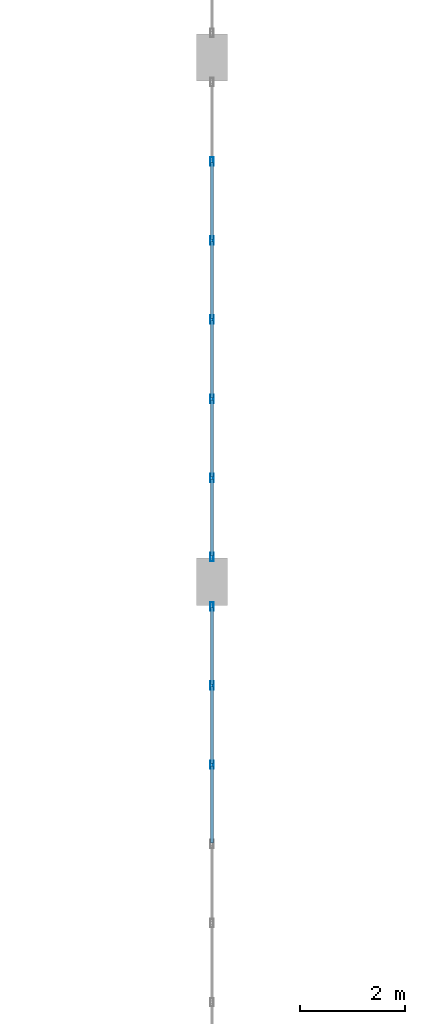
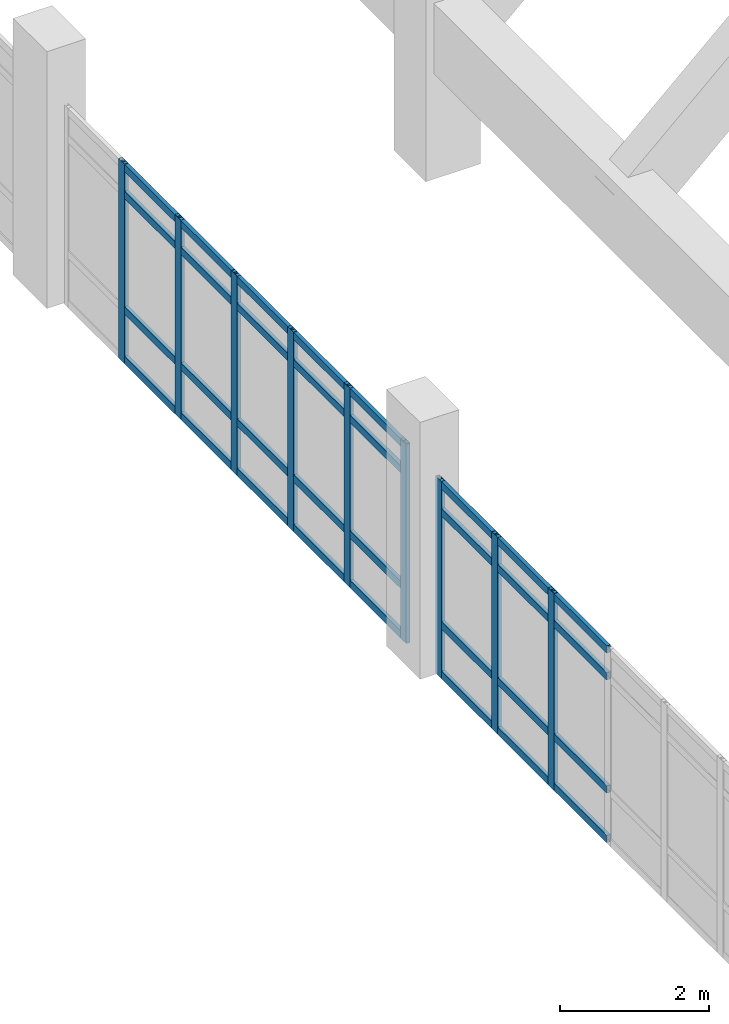
# One storey, part 20 of 111: 41 members, 2 elements without a shape of their own.
"""IFC4 building model written with IfcOpenShell, lengths in metres."""

from ifc_helpers import new_model, si_unit, direction, frame, origin, origin_2d, place, context, subcontext, project, spatial, hollow_rectangle, extrude, material, layer, layer_set, material_profile, profile_set, type_object, element, aggregate, save


model = new_model("IFC4")

# Units and contexts
model_context = context("Model", 3, precision=1e-05, world=origin(), true_north=direction((0.0, 1.0)))
body_context = subcontext(model_context, "Body", "Model", "MODEL_VIEW")
ifc_project = project(units=[si_unit("LENGTHUNIT", "METRE"), si_unit("AREAUNIT", "SQUARE_METRE"), si_unit("VOLUMEUNIT", "CUBIC_METRE"), si_unit("PLANEANGLEUNIT", "RADIAN"), si_unit("MASSUNIT", "GRAM", prefix="KILO")], contexts=[model_context])

# Site, building, storey
site_placement = place(None, origin())
site = spatial("IfcSite", under=ifc_project, at=site_placement, CompositionType="ELEMENT")
building_placement = place(site_placement, origin())
building = spatial("IfcBuilding", under=site, at=building_placement, Name="Mersad Railyard Sports Hall", CompositionType="ELEMENT")
storey_placement = place(building_placement, frame((0.0, 0.0, 9.0)))
storey = spatial("IfcBuildingStorey", under=building, at=storey_placement, Name="L02", CompositionType="ELEMENT", Elevation=9.0)

# Curtain wall, members
ifc_material = material(Name="Aluminium 6063-T6", Category="aluminium")
ifc_layer_1 = layer(ifc_material, 0.159912109375)
ifc_layer_set_1 = layer_set([ifc_layer_1], Name="Aluminium 6063-T6")
curtain_wall_type_1 = type_object("IfcCurtainWallType", Name="ARC-CW-CW15", PredefinedType="USERDEFINED", material=ifc_layer_set_1)
curtain_wall_1_placement = place(storey_placement, origin())
curtain_wall_1 = element("IfcCurtainWall", 1, at=curtain_wall_1_placement, inside=storey, type_object=curtain_wall_type_1, Name="Curtain wall CW15-0073", ObjectType="CURTAIN WALL", PredefinedType="USERDEFINED")
ifc_material_profile_1 = material_profile(ifc_material, hollow_rectangle(XDim=0.06005859375, YDim=0.159912109375, WallThickness=0.00390625, at=origin_2d()), Name="AL MULLION 60x160x4")
ifc_profile_set_1 = profile_set([ifc_material_profile_1], Name="Aluminium 6063-T6")
member_type_1 = type_object("IfcMemberType", Name="ARC-CW-MUL01", PredefinedType="MULLION", material=ifc_profile_set_1)
member_1_placement = place(storey_placement, frame((131.0, 50.010009765625, -0.02001953125), z_axis=(0.0, 0.0, 1.0), x_axis=(1.0, 0.0, 0.0)))
member_1 = element("IfcMember", 2, at=member_1_placement, type_object=member_type_1, Name="CW15 Mullion 5", PredefinedType="MULLION", context=body_context, shape_type="SweptSolid", body=[
    extrude(hollow_rectangle(XDim=0.06005859375, YDim=0.159912109375, WallThickness=0.00390625, at=origin_2d()), origin(), (0.0, 0.0, 1.0), 3.219970703125),
])
member_2_placement = place(storey_placement, frame((131.0, 51.52001953125, -0.02001953125), z_axis=(0.0, 0.0, 1.0), x_axis=(1.0, 0.0, 0.0)))
member_2 = element("IfcMember", 3, at=member_2_placement, type_object=member_type_1, Name="CW15 Mullion 6", PredefinedType="MULLION", context=body_context, shape_type="SweptSolid", body=[
    extrude(hollow_rectangle(XDim=0.06005859375, YDim=0.159912109375, WallThickness=0.00390625, at=origin_2d()), origin(), (0.0, 0.0, 1.0), 3.219970703125),
])
member_3_placement = place(storey_placement, frame((131.0, 53.030029296875, -0.02001953125), z_axis=(0.0, 0.0, 1.0), x_axis=(1.0, 0.0, 0.0)))
member_3 = element("IfcMember", 4, at=member_3_placement, type_object=member_type_1, Name="CW15 Mullion 7", PredefinedType="MULLION", context=body_context, shape_type="SweptSolid", body=[
    extrude(hollow_rectangle(XDim=0.06005859375, YDim=0.159912109375, WallThickness=0.00390625, at=origin_2d()), origin(), (0.0, 0.0, 1.0), 3.219970703125),
])

ifc_layer_2 = layer(ifc_material, 0.159912109375)
ifc_layer_set_2 = layer_set([ifc_layer_2], Name="Aluminium 6063-T6")
curtain_wall_type_2 = type_object("IfcCurtainWallType", Name="ARC-CW-CW16", PredefinedType="USERDEFINED", material=ifc_layer_set_2)
curtain_wall_2_placement = place(storey_placement, origin())
curtain_wall_2 = element("IfcCurtainWall", 5, at=curtain_wall_2_placement, inside=storey, type_object=curtain_wall_type_2, Name="Curtain wall CW16-0075", ObjectType="CURTAIN WALL", PredefinedType="USERDEFINED")
member_4_placement = place(storey_placement, frame((131.0, 53.969970703125, -0.02001953125), z_axis=(0.0, 0.0, 1.0), x_axis=(1.0, 0.0, 0.0)))
member_4 = element("IfcMember", 6, at=member_4_placement, type_object=member_type_1, Name="CW16 Mullion 1", PredefinedType="MULLION", context=body_context, shape_type="SweptSolid", body=[
    extrude(hollow_rectangle(XDim=0.06005859375, YDim=0.159912109375, WallThickness=0.00390625, at=origin_2d()), origin(), (0.0, 0.0, 1.0), 3.260009765625),
])
member_5_placement = place(storey_placement, frame((131.0, 55.47998046875, -0.02001953125), z_axis=(0.0, 0.0, 1.0), x_axis=(1.0, 0.0, 0.0)))
member_5 = element("IfcMember", 7, at=member_5_placement, type_object=member_type_1, Name="CW16 Mullion 2", PredefinedType="MULLION", context=body_context, shape_type="SweptSolid", body=[
    extrude(hollow_rectangle(XDim=0.06005859375, YDim=0.159912109375, WallThickness=0.00390625, at=origin_2d()), origin(), (0.0, 0.0, 1.0), 3.260009765625),
])
member_6_placement = place(storey_placement, frame((131.0, 56.989990234375, -0.02001953125), z_axis=(0.0, 0.0, 1.0), x_axis=(1.0, 0.0, 0.0)))
member_6 = element("IfcMember", 8, at=member_6_placement, type_object=member_type_1, Name="CW16 Mullion 3", PredefinedType="MULLION", context=body_context, shape_type="SweptSolid", body=[
    extrude(hollow_rectangle(XDim=0.06005859375, YDim=0.159912109375, WallThickness=0.00390625, at=origin_2d()), origin(), (0.0, 0.0, 1.0), 3.260009765625),
])
member_7_placement = place(storey_placement, frame((131.0, 58.5, -0.02001953125), z_axis=(0.0, 0.0, 1.0), x_axis=(1.0, 0.0, 0.0)))
member_7 = element("IfcMember", 9, at=member_7_placement, type_object=member_type_1, Name="CW16 Mullion 4", PredefinedType="MULLION", context=body_context, shape_type="SweptSolid", body=[
    extrude(hollow_rectangle(XDim=0.06005859375, YDim=0.159912109375, WallThickness=0.00390625, at=origin_2d()), origin(), (0.0, 0.0, 1.0), 3.260009765625),
])
member_8_placement = place(storey_placement, frame((131.0, 60.010009765625, -0.02001953125), z_axis=(0.0, 0.0, 1.0), x_axis=(1.0, 0.0, 0.0)))
member_8 = element("IfcMember", 10, at=member_8_placement, type_object=member_type_1, Name="CW16 Mullion 5", PredefinedType="MULLION", context=body_context, shape_type="SweptSolid", body=[
    extrude(hollow_rectangle(XDim=0.06005859375, YDim=0.159912109375, WallThickness=0.00390625, at=origin_2d()), origin(), (0.0, 0.0, 1.0), 3.260009765625),
])
member_9_placement = place(storey_placement, frame((131.0, 61.52001953125, -0.02001953125), z_axis=(0.0, 0.0, 1.0), x_axis=(1.0, 0.0, 0.0)))
member_9 = element("IfcMember", 11, at=member_9_placement, type_object=member_type_1, Name="CW16 Mullion 6", PredefinedType="MULLION", context=body_context, shape_type="SweptSolid", body=[
    extrude(hollow_rectangle(XDim=0.06005859375, YDim=0.159912109375, WallThickness=0.00390625, at=origin_2d()), origin(), (0.0, 0.0, 1.0), 3.260009765625),
])

# Member
ifc_material_profile_2 = material_profile(ifc_material, hollow_rectangle(XDim=0.06005859375, YDim=0.1201171875, WallThickness=0.00390625, at=origin_2d()), Name="AL TRANSOM 60x120x4")
ifc_profile_set_2 = profile_set([ifc_material_profile_2], Name="Aluminium 6063-T6")
member_type_2 = type_object("IfcMemberType", Name="ARC-CW-TRN01", PredefinedType="USERDEFINED", material=ifc_profile_set_2)
member_10_placement = place(storey_placement, frame((131.0, 48.52001953125, 0.0400390625), z_axis=(0.0, 1.0, 0.0), x_axis=(-1.0, 0.0, 0.0)))
member_10 = element("IfcMember", 12, at=member_10_placement, type_object=member_type_2, Name="CW15 Transom 1-4", ObjectType="TRANSOM", PredefinedType="USERDEFINED", context=body_context, shape_type="SweptSolid", body=[
    extrude(hollow_rectangle(XDim=0.06005859375, YDim=0.1201171875, WallThickness=0.00390625, at=origin_2d()), origin(), (0.0, 0.0, 1.0), 1.469970703125),
])

member_11_placement = place(storey_placement, frame((131.0, 50.030029296875, 0.0400390625), z_axis=(0.0, 1.0, 0.0), x_axis=(-1.0, 0.0, 0.0)))
member_11 = element("IfcMember", 13, at=member_11_placement, type_object=member_type_2, Name="CW15 Transom 1-5", ObjectType="TRANSOM", PredefinedType="USERDEFINED", context=body_context, shape_type="SweptSolid", body=[
    extrude(hollow_rectangle(XDim=0.06005859375, YDim=0.1201171875, WallThickness=0.00390625, at=origin_2d()), origin(), (0.0, 0.0, 1.0), 1.469970703125),
])

member_12_placement = place(storey_placement, frame((131.0, 51.5400390625, 0.0400390625), z_axis=(0.0, 1.0, 0.0), x_axis=(-1.0, 0.0, 0.0)))
member_12 = element("IfcMember", 14, at=member_12_placement, type_object=member_type_2, Name="CW15 Transom 1-6", ObjectType="TRANSOM", PredefinedType="USERDEFINED", context=body_context, shape_type="SweptSolid", body=[
    extrude(hollow_rectangle(XDim=0.06005859375, YDim=0.1201171875, WallThickness=0.00390625, at=origin_2d()), origin(), (0.0, 0.0, 1.0), 1.469970703125),
])

member_13_placement = place(storey_placement, frame((131.0, 48.52001953125, 0.85009765625), z_axis=(0.0, 1.0, 0.0), x_axis=(-1.0, 0.0, 0.0)))
member_13 = element("IfcMember", 15, at=member_13_placement, type_object=member_type_2, Name="CW15 Transom 2-4", ObjectType="TRANSOM", PredefinedType="USERDEFINED", context=body_context, shape_type="SweptSolid", body=[
    extrude(hollow_rectangle(XDim=0.06005859375, YDim=0.1201171875, WallThickness=0.00390625, at=origin_2d()), origin(), (0.0, 0.0, 1.0), 1.469970703125),
])

member_14_placement = place(storey_placement, frame((131.0, 50.030029296875, 0.85009765625), z_axis=(0.0, 1.0, 0.0), x_axis=(-1.0, 0.0, 0.0)))
member_14 = element("IfcMember", 16, at=member_14_placement, type_object=member_type_2, Name="CW15 Transom 2-5", ObjectType="TRANSOM", PredefinedType="USERDEFINED", context=body_context, shape_type="SweptSolid", body=[
    extrude(hollow_rectangle(XDim=0.06005859375, YDim=0.1201171875, WallThickness=0.00390625, at=origin_2d()), origin(), (0.0, 0.0, 1.0), 1.469970703125),
])

member_15_placement = place(storey_placement, frame((131.0, 51.5400390625, 0.85009765625), z_axis=(0.0, 1.0, 0.0), x_axis=(-1.0, 0.0, 0.0)))
member_15 = element("IfcMember", 17, at=member_15_placement, type_object=member_type_2, Name="CW15 Transom 2-6", ObjectType="TRANSOM", PredefinedType="USERDEFINED", context=body_context, shape_type="SweptSolid", body=[
    extrude(hollow_rectangle(XDim=0.06005859375, YDim=0.1201171875, WallThickness=0.00390625, at=origin_2d()), origin(), (0.0, 0.0, 1.0), 1.469970703125),
])

member_16_placement = place(storey_placement, frame((131.0, 48.52001953125, 2.699951171875), z_axis=(0.0, 1.0, 0.0), x_axis=(-1.0, 0.0, 0.0)))
member_16 = element("IfcMember", 18, at=member_16_placement, type_object=member_type_2, Name="CW15 Transom 3-4", ObjectType="TRANSOM", PredefinedType="USERDEFINED", context=body_context, shape_type="SweptSolid", body=[
    extrude(hollow_rectangle(XDim=0.06005859375, YDim=0.1201171875, WallThickness=0.00390625, at=origin_2d()), origin(), (0.0, 0.0, 1.0), 1.469970703125),
])

member_17_placement = place(storey_placement, frame((131.0, 50.030029296875, 2.699951171875), z_axis=(0.0, 1.0, 0.0), x_axis=(-1.0, 0.0, 0.0)))
member_17 = element("IfcMember", 19, at=member_17_placement, type_object=member_type_2, Name="CW15 Transom 3-5", ObjectType="TRANSOM", PredefinedType="USERDEFINED", context=body_context, shape_type="SweptSolid", body=[
    extrude(hollow_rectangle(XDim=0.06005859375, YDim=0.1201171875, WallThickness=0.00390625, at=origin_2d()), origin(), (0.0, 0.0, 1.0), 1.469970703125),
])

member_18_placement = place(storey_placement, frame((131.0, 51.5400390625, 2.699951171875), z_axis=(0.0, 1.0, 0.0), x_axis=(-1.0, 0.0, 0.0)))
member_18 = element("IfcMember", 20, at=member_18_placement, type_object=member_type_2, Name="CW15 Transom 3-6", ObjectType="TRANSOM", PredefinedType="USERDEFINED", context=body_context, shape_type="SweptSolid", body=[
    extrude(hollow_rectangle(XDim=0.06005859375, YDim=0.1201171875, WallThickness=0.00390625, at=origin_2d()), origin(), (0.0, 0.0, 1.0), 1.469970703125),
])

member_19_placement = place(storey_placement, frame((131.0, 48.52001953125, 3.139892578125), z_axis=(0.0, 1.0, 0.0), x_axis=(-1.0, 0.0, 0.0)))
member_19 = element("IfcMember", 21, at=member_19_placement, type_object=member_type_2, Name="CW15 Transom 4-4", ObjectType="TRANSOM", PredefinedType="USERDEFINED", context=body_context, shape_type="SweptSolid", body=[
    extrude(hollow_rectangle(XDim=0.06005859375, YDim=0.1201171875, WallThickness=0.00390625, at=origin_2d()), origin(), (0.0, 0.0, 1.0), 1.469970703125),
])

member_20_placement = place(storey_placement, frame((131.0, 50.030029296875, 3.139892578125), z_axis=(0.0, 1.0, 0.0), x_axis=(-1.0, 0.0, 0.0)))
member_20 = element("IfcMember", 22, at=member_20_placement, type_object=member_type_2, Name="CW15 Transom 4-5", ObjectType="TRANSOM", PredefinedType="USERDEFINED", context=body_context, shape_type="SweptSolid", body=[
    extrude(hollow_rectangle(XDim=0.06005859375, YDim=0.1201171875, WallThickness=0.00390625, at=origin_2d()), origin(), (0.0, 0.0, 1.0), 1.469970703125),
])

member_21_placement = place(storey_placement, frame((131.0, 51.5400390625, 3.139892578125), z_axis=(0.0, 1.0, 0.0), x_axis=(-1.0, 0.0, 0.0)))
member_21 = element("IfcMember", 23, at=member_21_placement, type_object=member_type_2, Name="CW15 Transom 4-6", ObjectType="TRANSOM", PredefinedType="USERDEFINED", context=body_context, shape_type="SweptSolid", body=[
    extrude(hollow_rectangle(XDim=0.06005859375, YDim=0.1201171875, WallThickness=0.00390625, at=origin_2d()), origin(), (0.0, 0.0, 1.0), 1.469970703125),
])

aggregate(curtain_wall_1, [member_1, member_2, member_3, member_10, member_11, member_12, member_13, member_14, member_15, member_16, member_17, member_18, member_19, member_20, member_21])

member_22_placement = place(storey_placement, frame((131.0, 53.989990234375, 0.0400390625), z_axis=(0.0, 1.0, 0.0), x_axis=(-1.0, 0.0, 0.0)))
member_22 = element("IfcMember", 24, at=member_22_placement, type_object=member_type_2, Name="CW16 Transom 1-1", ObjectType="TRANSOM", PredefinedType="USERDEFINED", context=body_context, shape_type="SweptSolid", body=[
    extrude(hollow_rectangle(XDim=0.06005859375, YDim=0.1201171875, WallThickness=0.00390625, at=origin_2d()), origin(), (0.0, 0.0, 1.0), 1.469970703125),
])

member_23_placement = place(storey_placement, frame((131.0, 55.5, 0.0400390625), z_axis=(0.0, 1.0, 0.0), x_axis=(-1.0, 0.0, 0.0)))
member_23 = element("IfcMember", 25, at=member_23_placement, type_object=member_type_2, Name="CW16 Transom 1-2", ObjectType="TRANSOM", PredefinedType="USERDEFINED", context=body_context, shape_type="SweptSolid", body=[
    extrude(hollow_rectangle(XDim=0.06005859375, YDim=0.1201171875, WallThickness=0.00390625, at=origin_2d()), origin(), (0.0, 0.0, 1.0), 1.469970703125),
])

member_24_placement = place(storey_placement, frame((131.0, 57.010009765625, 0.0400390625), z_axis=(0.0, 1.0, 0.0), x_axis=(-1.0, 0.0, 0.0)))
member_24 = element("IfcMember", 26, at=member_24_placement, type_object=member_type_2, Name="CW16 Transom 1-3", ObjectType="TRANSOM", PredefinedType="USERDEFINED", context=body_context, shape_type="SweptSolid", body=[
    extrude(hollow_rectangle(XDim=0.06005859375, YDim=0.1201171875, WallThickness=0.00390625, at=origin_2d()), origin(), (0.0, 0.0, 1.0), 1.469970703125),
])

member_25_placement = place(storey_placement, frame((131.0, 58.52001953125, 0.0400390625), z_axis=(0.0, 1.0, 0.0), x_axis=(-1.0, 0.0, 0.0)))
member_25 = element("IfcMember", 27, at=member_25_placement, type_object=member_type_2, Name="CW16 Transom 1-4", ObjectType="TRANSOM", PredefinedType="USERDEFINED", context=body_context, shape_type="SweptSolid", body=[
    extrude(hollow_rectangle(XDim=0.06005859375, YDim=0.1201171875, WallThickness=0.00390625, at=origin_2d()), origin(), (0.0, 0.0, 1.0), 1.469970703125),
])

member_26_placement = place(storey_placement, frame((131.0, 60.030029296875, 0.0400390625), z_axis=(0.0, 1.0, 0.0), x_axis=(-1.0, 0.0, 0.0)))
member_26 = element("IfcMember", 28, at=member_26_placement, type_object=member_type_2, Name="CW16 Transom 1-5", ObjectType="TRANSOM", PredefinedType="USERDEFINED", context=body_context, shape_type="SweptSolid", body=[
    extrude(hollow_rectangle(XDim=0.06005859375, YDim=0.1201171875, WallThickness=0.00390625, at=origin_2d()), origin(), (0.0, 0.0, 1.0), 1.469970703125),
])

member_27_placement = place(storey_placement, frame((131.0, 53.989990234375, 0.85009765625), z_axis=(0.0, 1.0, 0.0), x_axis=(-1.0, 0.0, 0.0)))
member_27 = element("IfcMember", 29, at=member_27_placement, type_object=member_type_2, Name="CW16 Transom 2-1", ObjectType="TRANSOM", PredefinedType="USERDEFINED", context=body_context, shape_type="SweptSolid", body=[
    extrude(hollow_rectangle(XDim=0.06005859375, YDim=0.1201171875, WallThickness=0.00390625, at=origin_2d()), origin(), (0.0, 0.0, 1.0), 1.469970703125),
])

member_28_placement = place(storey_placement, frame((131.0, 55.5, 0.85009765625), z_axis=(0.0, 1.0, 0.0), x_axis=(-1.0, 0.0, 0.0)))
member_28 = element("IfcMember", 30, at=member_28_placement, type_object=member_type_2, Name="CW16 Transom 2-2", ObjectType="TRANSOM", PredefinedType="USERDEFINED", context=body_context, shape_type="SweptSolid", body=[
    extrude(hollow_rectangle(XDim=0.06005859375, YDim=0.1201171875, WallThickness=0.00390625, at=origin_2d()), origin(), (0.0, 0.0, 1.0), 1.469970703125),
])

member_29_placement = place(storey_placement, frame((131.0, 57.010009765625, 0.85009765625), z_axis=(0.0, 1.0, 0.0), x_axis=(-1.0, 0.0, 0.0)))
member_29 = element("IfcMember", 31, at=member_29_placement, type_object=member_type_2, Name="CW16 Transom 2-3", ObjectType="TRANSOM", PredefinedType="USERDEFINED", context=body_context, shape_type="SweptSolid", body=[
    extrude(hollow_rectangle(XDim=0.06005859375, YDim=0.1201171875, WallThickness=0.00390625, at=origin_2d()), origin(), (0.0, 0.0, 1.0), 1.469970703125),
])

member_30_placement = place(storey_placement, frame((131.0, 58.52001953125, 0.85009765625), z_axis=(0.0, 1.0, 0.0), x_axis=(-1.0, 0.0, 0.0)))
member_30 = element("IfcMember", 32, at=member_30_placement, type_object=member_type_2, Name="CW16 Transom 2-4", ObjectType="TRANSOM", PredefinedType="USERDEFINED", context=body_context, shape_type="SweptSolid", body=[
    extrude(hollow_rectangle(XDim=0.06005859375, YDim=0.1201171875, WallThickness=0.00390625, at=origin_2d()), origin(), (0.0, 0.0, 1.0), 1.469970703125),
])

member_31_placement = place(storey_placement, frame((131.0, 60.030029296875, 0.85009765625), z_axis=(0.0, 1.0, 0.0), x_axis=(-1.0, 0.0, 0.0)))
member_31 = element("IfcMember", 33, at=member_31_placement, type_object=member_type_2, Name="CW16 Transom 2-5", ObjectType="TRANSOM", PredefinedType="USERDEFINED", context=body_context, shape_type="SweptSolid", body=[
    extrude(hollow_rectangle(XDim=0.06005859375, YDim=0.1201171875, WallThickness=0.00390625, at=origin_2d()), origin(), (0.0, 0.0, 1.0), 1.469970703125),
])

member_32_placement = place(storey_placement, frame((131.0, 53.989990234375, 2.739990234375), z_axis=(0.0, 1.0, 0.0), x_axis=(-1.0, 0.0, 0.0)))
member_32 = element("IfcMember", 34, at=member_32_placement, type_object=member_type_2, Name="CW16 Transom 3-1", ObjectType="TRANSOM", PredefinedType="USERDEFINED", context=body_context, shape_type="SweptSolid", body=[
    extrude(hollow_rectangle(XDim=0.06005859375, YDim=0.1201171875, WallThickness=0.00390625, at=origin_2d()), origin(), (0.0, 0.0, 1.0), 1.469970703125),
])

member_33_placement = place(storey_placement, frame((131.0, 55.5, 2.739990234375), z_axis=(0.0, 1.0, 0.0), x_axis=(-1.0, 0.0, 0.0)))
member_33 = element("IfcMember", 35, at=member_33_placement, type_object=member_type_2, Name="CW16 Transom 3-2", ObjectType="TRANSOM", PredefinedType="USERDEFINED", context=body_context, shape_type="SweptSolid", body=[
    extrude(hollow_rectangle(XDim=0.06005859375, YDim=0.1201171875, WallThickness=0.00390625, at=origin_2d()), origin(), (0.0, 0.0, 1.0), 1.469970703125),
])

member_34_placement = place(storey_placement, frame((131.0, 57.010009765625, 2.739990234375), z_axis=(0.0, 1.0, 0.0), x_axis=(-1.0, 0.0, 0.0)))
member_34 = element("IfcMember", 36, at=member_34_placement, type_object=member_type_2, Name="CW16 Transom 3-3", ObjectType="TRANSOM", PredefinedType="USERDEFINED", context=body_context, shape_type="SweptSolid", body=[
    extrude(hollow_rectangle(XDim=0.06005859375, YDim=0.1201171875, WallThickness=0.00390625, at=origin_2d()), origin(), (0.0, 0.0, 1.0), 1.469970703125),
])

member_35_placement = place(storey_placement, frame((131.0, 58.52001953125, 2.739990234375), z_axis=(0.0, 1.0, 0.0), x_axis=(-1.0, 0.0, 0.0)))
member_35 = element("IfcMember", 37, at=member_35_placement, type_object=member_type_2, Name="CW16 Transom 3-4", ObjectType="TRANSOM", PredefinedType="USERDEFINED", context=body_context, shape_type="SweptSolid", body=[
    extrude(hollow_rectangle(XDim=0.06005859375, YDim=0.1201171875, WallThickness=0.00390625, at=origin_2d()), origin(), (0.0, 0.0, 1.0), 1.469970703125),
])

member_36_placement = place(storey_placement, frame((131.0, 60.030029296875, 2.739990234375), z_axis=(0.0, 1.0, 0.0), x_axis=(-1.0, 0.0, 0.0)))
member_36 = element("IfcMember", 38, at=member_36_placement, type_object=member_type_2, Name="CW16 Transom 3-5", ObjectType="TRANSOM", PredefinedType="USERDEFINED", context=body_context, shape_type="SweptSolid", body=[
    extrude(hollow_rectangle(XDim=0.06005859375, YDim=0.1201171875, WallThickness=0.00390625, at=origin_2d()), origin(), (0.0, 0.0, 1.0), 1.469970703125),
])

member_37_placement = place(storey_placement, frame((131.0, 53.989990234375, 3.179931640625), z_axis=(0.0, 1.0, 0.0), x_axis=(-1.0, 0.0, 0.0)))
member_37 = element("IfcMember", 39, at=member_37_placement, type_object=member_type_2, Name="CW16 Transom 4-1", ObjectType="TRANSOM", PredefinedType="USERDEFINED", context=body_context, shape_type="SweptSolid", body=[
    extrude(hollow_rectangle(XDim=0.06005859375, YDim=0.1201171875, WallThickness=0.00390625, at=origin_2d()), origin(), (0.0, 0.0, 1.0), 1.469970703125),
])

member_38_placement = place(storey_placement, frame((131.0, 55.5, 3.179931640625), z_axis=(0.0, 1.0, 0.0), x_axis=(-1.0, 0.0, 0.0)))
member_38 = element("IfcMember", 40, at=member_38_placement, type_object=member_type_2, Name="CW16 Transom 4-2", ObjectType="TRANSOM", PredefinedType="USERDEFINED", context=body_context, shape_type="SweptSolid", body=[
    extrude(hollow_rectangle(XDim=0.06005859375, YDim=0.1201171875, WallThickness=0.00390625, at=origin_2d()), origin(), (0.0, 0.0, 1.0), 1.469970703125),
])

member_39_placement = place(storey_placement, frame((131.0, 57.010009765625, 3.179931640625), z_axis=(0.0, 1.0, 0.0), x_axis=(-1.0, 0.0, 0.0)))
member_39 = element("IfcMember", 41, at=member_39_placement, type_object=member_type_2, Name="CW16 Transom 4-3", ObjectType="TRANSOM", PredefinedType="USERDEFINED", context=body_context, shape_type="SweptSolid", body=[
    extrude(hollow_rectangle(XDim=0.06005859375, YDim=0.1201171875, WallThickness=0.00390625, at=origin_2d()), origin(), (0.0, 0.0, 1.0), 1.469970703125),
])

member_40_placement = place(storey_placement, frame((131.0, 58.52001953125, 3.179931640625), z_axis=(0.0, 1.0, 0.0), x_axis=(-1.0, 0.0, 0.0)))
member_40 = element("IfcMember", 42, at=member_40_placement, type_object=member_type_2, Name="CW16 Transom 4-4", ObjectType="TRANSOM", PredefinedType="USERDEFINED", context=body_context, shape_type="SweptSolid", body=[
    extrude(hollow_rectangle(XDim=0.06005859375, YDim=0.1201171875, WallThickness=0.00390625, at=origin_2d()), origin(), (0.0, 0.0, 1.0), 1.469970703125),
])

member_41_placement = place(storey_placement, frame((131.0, 60.030029296875, 3.179931640625), z_axis=(0.0, 1.0, 0.0), x_axis=(-1.0, 0.0, 0.0)))
member_41 = element("IfcMember", 43, at=member_41_placement, type_object=member_type_2, Name="CW16 Transom 4-5", ObjectType="TRANSOM", PredefinedType="USERDEFINED", context=body_context, shape_type="SweptSolid", body=[
    extrude(hollow_rectangle(XDim=0.06005859375, YDim=0.1201171875, WallThickness=0.00390625, at=origin_2d()), origin(), (0.0, 0.0, 1.0), 1.469970703125),
])

aggregate(curtain_wall_2, [member_4, member_5, member_6, member_7, member_8, member_9, member_22, member_23, member_24, member_25, member_26, member_27, member_28, member_29, member_30, member_31, member_32, member_33, member_34, member_35, member_36, member_37, member_38, member_39, member_40, member_41])

save(model, "model.ifc")
